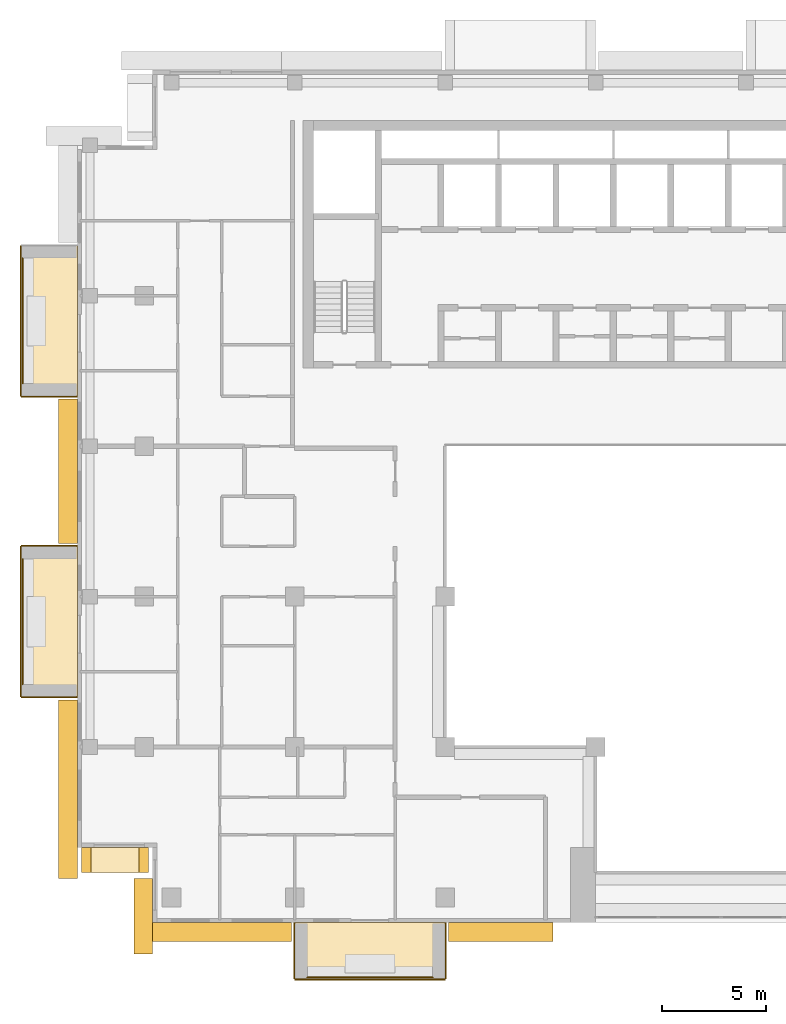
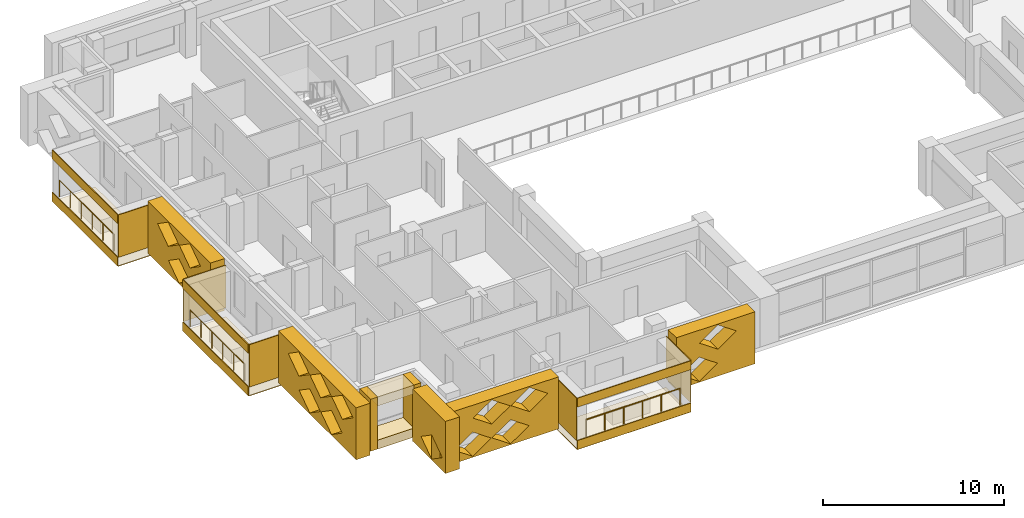
# One storey, part 13 of 19: 23 coverings, 3 railings.
"""IFC4 building model written with IfcOpenShell, lengths in metres."""

import ifcopenshell
import ifcopenshell.guid

model = None  # the IFC model being written
_history = None  # IfcOwnerHistory: only IFC2X3 demands one
_inside = {}  # id of a spatial element -> (the spatial element, [elements in it])
_under = {}  # id of a project, library or spatial element -> (it, [spatial elements below it])
_declared = {}  # id of a project -> (the project, [libraries it declares])
_typed = {}  # id of a type object -> (the type object, [elements of that type])
_made_of = {}  # id of a material, layer set ... -> (it, [elements and type objects made of it])


def new_model(schema):
    """Start an empty IFC model of exactly this schema.

    Asked for "IFC4X3", IfcOpenShell would pick the latest addendum, in which some entities
    have other attributes; the version numbers below select the first issue.
    IFC2X3 requires an IfcOwnerHistory on every rooted entity: one is made here for all.
    """
    global model, _history
    if schema == "IFC4X3":
        model = ifcopenshell.file(schema_version=(4, 3, 0, 0))
    else:
        model = ifcopenshell.file(schema=schema)
    _inside.clear()
    _under.clear()
    _declared.clear()
    _typed.clear()
    _made_of.clear()
    _history = None
    if model.schema == "IFC2X3":
        org = make("IfcOrganization", Name="unknown")
        user = make(
            "IfcPersonAndOrganization",
            ThePerson=make("IfcPerson", FamilyName="unknown"),
            TheOrganization=org,
        )
        app = make(
            "IfcApplication",
            ApplicationDeveloper=org,
            Version="unknown",
            ApplicationFullName="unknown",
            ApplicationIdentifier="unknown",
        )
        _history = make(
            "IfcOwnerHistory",
            OwningUser=user,
            OwningApplication=app,
            ChangeAction="ADDED",
            CreationDate=0,
        )
    return model


def make(cls, **values):
    """One entity of the class cls with the attributes given. An attribute that is None is left unset."""
    return model.create_entity(
        cls, **{name: value for name, value in values.items() if value is not None}
    )


def rooted(cls, **values):
    """An entity with a GlobalId (a new one), such as an element, a storey or a relation."""
    return make(cls, GlobalId=ifcopenshell.guid.new(), OwnerHistory=_history, **values)


def si_unit(unit_type, name, prefix=None):
    """IfcSIUnit, for example si_unit("LENGTHUNIT", "METRE", prefix="MILLI")."""
    return make("IfcSIUnit", UnitType=unit_type, Prefix=prefix, Name=name)


def assignment(units):
    """IfcUnitAssignment: the units of a project."""
    return None if units is None else make("IfcUnitAssignment", Units=units)


def point(xyz):
    """IfcCartesianPoint."""
    return None if xyz is None else make("IfcCartesianPoint", Coordinates=xyz)


def direction(xyz):
    """IfcDirection."""
    return None if xyz is None else make("IfcDirection", DirectionRatios=xyz)


def frame(location, z_axis=None, x_axis=None):
    """IfcAxis2Placement3D, a coordinate frame: its origin and axes. An axis left out is left unset."""
    return make(
        "IfcAxis2Placement3D",
        Location=point(location),
        Axis=direction(z_axis),
        RefDirection=direction(x_axis),
    )


def frame_2d(location, x_axis=None):
    """IfcAxis2Placement2D, a coordinate frame in the plane: its origin and x axis."""
    return make(
        "IfcAxis2Placement2D", Location=point(location), RefDirection=direction(x_axis)
    )


def origin():
    """The frame at (0, 0, 0) with its axes left unset."""
    return frame((0.0, 0.0, 0.0))


def origin_2d():
    """The frame at (0, 0) in the plane with its x axis left unset."""
    return frame_2d((0.0, 0.0))


def place(relative_to, where):
    """IfcLocalPlacement: puts the frame where relative to a parent placement (None: the world)."""
    return make(
        "IfcLocalPlacement", PlacementRelTo=relative_to, RelativePlacement=where
    )


def context(
    kind, dimensions, precision=None, world=None, true_north=None, identifier=None
):
    """IfcGeometricRepresentationContext, for example the 3D "Model" context."""
    return make(
        "IfcGeometricRepresentationContext",
        ContextIdentifier=identifier,
        ContextType=kind,
        CoordinateSpaceDimension=dimensions,
        Precision=precision,
        WorldCoordinateSystem=world,
        TrueNorth=true_north,
    )


def subcontext(parent, identifier, kind, view, scale=None):
    """IfcGeometricRepresentationSubContext, for example "Body" below "Model"."""
    return make(
        "IfcGeometricRepresentationSubContext",
        ContextIdentifier=identifier,
        ContextType=kind,
        ParentContext=parent,
        TargetScale=scale,
        TargetView=view,
    )


def project(units=None, contexts=None):
    """IfcProject with its units and contexts."""
    return rooted(
        "IfcProject",
        Name="project",
        RepresentationContexts=contexts,
        UnitsInContext=assignment(units),
    )


def spatial(cls, under=None, at=None, **own):
    """A site, building, storey or space (cls), placed at a placement, below another one or the project."""
    s = rooted(cls, ObjectPlacement=at, **own)
    if under is not None:
        _under.setdefault(under.id(), (under, []))[1].append(s)
    return s


def polyline(points):
    """IfcPolyline through the points."""
    return make("IfcPolyline", Points=[point(p) for p in points])


def profile(cls, at=None, kind="AREA", **sizes):
    """A parametric profile (cls). Its sizes go by their IFC names, for example OverallWidth=200.0."""
    return make(cls, ProfileType=kind, Position=at, **sizes)


def circle(**sizes):
    """IfcCircleProfileDef."""
    return profile("IfcCircleProfileDef", **sizes)


def outline(outer, holes=None, kind="AREA"):
    """IfcArbitraryClosedProfileDef: a profile drawn as a closed curve; with holes, ...WithVoids."""
    if holes is None:
        return make("IfcArbitraryClosedProfileDef", ProfileType=kind, OuterCurve=outer)
    return make(
        "IfcArbitraryProfileDefWithVoids",
        ProfileType=kind,
        OuterCurve=outer,
        InnerCurves=holes,
    )


def extrude(swept, where, along, depth):
    """IfcExtrudedAreaSolid: the profile swept, set in the frame where, extruded along a direction by depth."""
    return make(
        "IfcExtrudedAreaSolid",
        SweptArea=swept,
        Position=where,
        ExtrudedDirection=direction(along),
        Depth=depth,
    )


def shape(context_of_items, identifier, shape_type, items):
    """IfcShapeRepresentation: the items that make up one representation, for example the "Body"."""
    return make(
        "IfcShapeRepresentation",
        ContextOfItems=context_of_items,
        RepresentationIdentifier=identifier,
        RepresentationType=shape_type,
        Items=items,
    )


def material(Name=None, Category=None):
    """IfcMaterial."""
    return make("IfcMaterial", Name=Name, Category=Category)


def layer(
    of_material, thickness, ventilated=None, Name=None, Category=None, Priority=None
):
    """IfcMaterialLayer: one layer of a wall or slab, of a material (None: an air gap)."""
    return make(
        "IfcMaterialLayer",
        Material=of_material,
        LayerThickness=thickness,
        IsVentilated=ventilated,
        Name=Name,
        Category=Category,
        Priority=Priority,
    )


def layer_set(layers, Name=None):
    """IfcMaterialLayerSet."""
    return make("IfcMaterialLayerSet", MaterialLayers=layers, LayerSetName=Name)


def made_of(thing, what):
    """Note that an element or type object is made of a material, layer set ...; save() writes the relation."""
    if what is not None:
        _made_of.setdefault(what.id(), (what, []))[1].append(thing)
    return thing


def type_object(cls, material=None, **own):
    """A type object (cls), such as IfcWallType, which elements share."""
    return made_of(rooted(cls, **own), material)


def element(
    cls,
    number,
    at=None,
    inside=None,
    cuts=None,
    type_object=None,
    material=None,
    context=None,
    identifier="Body",
    shape_type=None,
    held_by="IfcProductDefinitionShape",
    body=None,
    shapes=None,
    **own,
):
    """One element of the class cls, such as IfcWall. Its Tag is "e" and its number.

    at: its placement. inside: the storey or other place that contains it. cuts: it is an
    opening in that element (IfcRelVoidsElement). A single representation is given by context,
    identifier, shape_type and body (its items); several are given by shapes. held_by: the class
    of the entity that holds the representations. save() writes the other relations.
    """
    e = rooted(cls, Tag="e%d" % number, ObjectPlacement=at, **own)
    if body is not None:
        shapes = [shape(context, identifier, shape_type, body)]
    if shapes is not None:
        e.Representation = make(held_by, Representations=shapes)
    if inside is not None:
        _inside.setdefault(inside.id(), (inside, []))[1].append(e)
    if cuts is not None:
        rooted(
            "IfcRelVoidsElement", RelatingBuildingElement=cuts, RelatedOpeningElement=e
        )
    if type_object is not None:
        _typed.setdefault(type_object.id(), (type_object, []))[1].append(e)
    return made_of(e, material)


def aggregate(whole, parts):
    """IfcRelAggregates: a whole, such as a stair, and the parts it consists of."""
    return rooted("IfcRelAggregates", RelatingObject=whole, RelatedObjects=parts)


def save(model, path):
    """Write the relations noted so far, then the file.

    IfcRelAggregates (storeys below a building ...), IfcRelContainedInSpatialStructure (elements
    in a storey), IfcRelDefinesByType, IfcRelAssociatesMaterial and IfcRelDeclares: one each for
    every whole, place, type object, material and project.
    """
    for whole, parts in _under.values():
        aggregate(whole, parts)
    for where, things in _inside.values():
        rooted(
            "IfcRelContainedInSpatialStructure",
            RelatedElements=things,
            RelatingStructure=where,
        )
    for kind, things in _typed.values():
        rooted("IfcRelDefinesByType", RelatedObjects=things, RelatingType=kind)
    for what, things in _made_of.values():
        rooted("IfcRelAssociatesMaterial", RelatedObjects=things, RelatingMaterial=what)
    for by, libraries in _declared.values():
        rooted("IfcRelDeclares", RelatingContext=by, RelatedDefinitions=libraries)
    model.write(path)


model = new_model("IFC4")

# Units and contexts
model_context = context("Model", 3, precision=1e-05, world=origin(), true_north=direction((0.0, 1.0)))
body_context = subcontext(model_context, "Body", "Model", "MODEL_VIEW")
ifc_project = project(units=[si_unit("LENGTHUNIT", "METRE"), si_unit("AREAUNIT", "SQUARE_METRE"), si_unit("VOLUMEUNIT", "CUBIC_METRE"), si_unit("PLANEANGLEUNIT", "RADIAN"), si_unit("MASSUNIT", "GRAM", prefix="KILO")], contexts=[model_context])

# Site, building, storey
site_placement = place(None, origin())
site = spatial("IfcSite", under=ifc_project, at=site_placement, CompositionType="ELEMENT")
building_placement = place(site_placement, origin())
building = spatial("IfcBuilding", under=site, at=building_placement, Name="Saffron Iwan Residences", CompositionType="ELEMENT")
storey_placement = place(building_placement, frame((0.0, 0.0, 222.0)))
storey = spatial("IfcBuildingStorey", under=building, at=storey_placement, Name="L59", CompositionType="ELEMENT", Elevation=222.0)

# Railings
ifc_material_1 = material(Name="Stainless steel 316", Category="steel")
railing_type = type_object("IfcRailingType", Name="BALCONY GUARD 1150", PredefinedType="GUARDRAIL", material=ifc_material_1)
for number, where, name in (
    (1, (15.77490234375, 71.39990234375, 0.0), "Balcony guard L59 F8-0"),
    (2, (15.77490234375, 57.0, 0.0), "Balcony guard L59 F8-1"),
):
    element("IfcRailing", number, at=place(storey_placement, frame(where)), inside=storey, type_object=railing_type, Name=name, PredefinedType="GUARDRAIL", context=body_context, shape_type="SweptSolid", body=[
        extrude(circle(Radius=0.02392578125, at=origin_2d()), frame((0.0, 0.0, 1.1259765625), z_axis=(0.0, -1.0, 0.0), x_axis=(1.0, 0.0, 0.0)), (0.0, 0.0, 1.0), 6.0),
        extrude(circle(Radius=0.02099609375, at=origin_2d()), origin(), (0.0, 0.0, 1.0), 1.101806640625),
        extrude(circle(Radius=0.02099609375, at=origin_2d()), frame((0.0, -1.199951171875, 0.0)), (0.0, 0.0, 1.0), 1.101806640625),
        extrude(circle(Radius=0.02099609375, at=origin_2d()), frame((0.0, -2.39990234375, 0.0)), (0.0, 0.0, 1.0), 1.101806640625),
        extrude(circle(Radius=0.02099609375, at=origin_2d()), frame((0.0, -3.60009765625, 0.0)), (0.0, 0.0, 1.0), 1.101806640625),
        extrude(circle(Radius=0.02099609375, at=origin_2d()), frame((0.0, -4.800048828125, 0.0)), (0.0, 0.0, 1.0), 1.101806640625),
        extrude(circle(Radius=0.02099609375, at=origin_2d()), frame((0.0, -6.0, 0.0)), (0.0, 0.0, 1.0), 1.101806640625),
    ])
railing_placement = place(storey_placement, frame((29.39990234375, 36.97509765625, 0.0)))
element("IfcRailing", 3, at=railing_placement, inside=storey, type_object=railing_type, Name="Balcony guard L59 11-0", PredefinedType="GUARDRAIL", context=body_context, shape_type="SweptSolid", body=[
    extrude(circle(Radius=0.02392578125, at=origin_2d()), frame((0.0, 0.0, 1.1259765625), z_axis=(1.0, 0.0, 0.0), x_axis=(0.0, 1.0, 0.0)), (0.0, 0.0, 1.0), 6.0),
    extrude(circle(Radius=0.02099609375, at=origin_2d()), origin(), (0.0, 0.0, 1.0), 1.101806640625),
    extrude(circle(Radius=0.02099609375, at=origin_2d()), frame((1.199951171875, 0.0, 0.0)), (0.0, 0.0, 1.0), 1.101806640625),
    extrude(circle(Radius=0.02099609375, at=origin_2d()), frame((2.39990234375, 0.0, 0.0)), (0.0, 0.0, 1.0), 1.101806640625),
    extrude(circle(Radius=0.02099609375, at=origin_2d()), frame((3.60009765625, 0.0, 0.0)), (0.0, 0.0, 1.0), 1.101806640625),
    extrude(circle(Radius=0.02099609375, at=origin_2d()), frame((4.800048828125, 0.0, 0.0)), (0.0, 0.0, 1.0), 1.101806640625),
    extrude(circle(Radius=0.02099609375, at=origin_2d()), frame((6.0, 0.0, 0.0)), (0.0, 0.0, 1.0), 1.101806640625),
])

# Coverings
ifc_material_2 = material(Name="Precast concrete C40/50 white painted", Category="concrete")
ifc_layer = layer(ifc_material_2, 0.050048828125)
ifc_layer_set = layer_set([ifc_layer], Name="Precast concrete C40/50 white painted")
covering_type_1 = type_object("IfcCoveringType", Name="FRAME SKIN PRECAST WHITE 50", PredefinedType="CLADDING", material=ifc_layer_set)
for number, where, name in (
    (4, (0.0, 0.0, -0.60009765625), "Frame skin slab edge L59 F8-0"),
    (5, (0.0, 0.0, 2.25), "Frame skin fascia L59 F8-0"),
):
    element("IfcCovering", number, at=place(storey_placement, frame(where)), inside=storey, type_object=covering_type_1, Name=name, PredefinedType="CLADDING", context=body_context, shape_type="SweptSolid", body=[
        extrude(outline(polyline([(15.64990234375, 72.0), (15.64990234375, 64.800048828125), (15.699951171875, 64.800048828125), (15.699951171875, 72.0), (15.64990234375, 72.0)])), origin(), (0.0, 0.0, 1.0), 0.60009765625),
    ])
covering_1_placement = place(storey_placement, frame((0.0, 0.0, -0.64990234375)))
element("IfcCovering", 6, at=covering_1_placement, inside=storey, type_object=covering_type_1, Name="Frame skin soffit L59 F8-0", PredefinedType="CLADDING", context=body_context, shape_type="SweptSolid", body=[
    extrude(outline(polyline([(15.699951171875, 72.0), (15.699951171875, 64.800048828125), (18.39990234375, 64.800048828125), (18.39990234375, 72.0), (15.699951171875, 72.0)])), origin(), (0.0, 0.0, 1.0), 0.0498046875),
])
covering_2_placement = place(storey_placement, origin())
element("IfcCovering", 7, at=covering_2_placement, inside=storey, type_object=covering_type_1, Name="Frame skin fin L59 F8-0b", PredefinedType="CLADDING", context=body_context, shape_type="SweptSolid", body=[
    extrude(outline(polyline([(15.699951171875, 64.800048828125), (15.699951171875, 64.75), (18.39990234375, 64.75), (18.39990234375, 64.800048828125), (15.699951171875, 64.800048828125)])), origin(), (0.0, 0.0, 1.0), 2.85009765625),
])
for number, where, name in (
    (8, (0.0, 0.0, -0.60009765625), "Frame skin slab edge L59 F8-1"),
    (9, (0.0, 0.0, 2.25), "Frame skin fascia L59 F8-1"),
):
    element("IfcCovering", number, at=place(storey_placement, frame(where)), inside=storey, type_object=covering_type_1, Name=name, PredefinedType="CLADDING", context=body_context, shape_type="SweptSolid", body=[
        extrude(outline(polyline([(15.64990234375, 57.60009765625), (15.64990234375, 50.39990234375), (15.699951171875, 50.39990234375), (15.699951171875, 57.60009765625), (15.64990234375, 57.60009765625)])), origin(), (0.0, 0.0, 1.0), 0.60009765625),
    ])
covering_3_placement = place(storey_placement, frame((0.0, 0.0, -0.64990234375)))
element("IfcCovering", 10, at=covering_3_placement, inside=storey, type_object=covering_type_1, Name="Frame skin soffit L59 F8-1", PredefinedType="CLADDING", context=body_context, shape_type="SweptSolid", body=[
    extrude(outline(polyline([(15.699951171875, 57.60009765625), (15.699951171875, 50.39990234375), (18.39990234375, 50.39990234375), (18.39990234375, 57.60009765625), (15.699951171875, 57.60009765625)])), origin(), (0.0, 0.0, 1.0), 0.0498046875),
])
covering_4_placement = place(storey_placement, origin())
element("IfcCovering", 11, at=covering_4_placement, inside=storey, type_object=covering_type_1, Name="Frame skin fin L59 F8-1a", PredefinedType="CLADDING", context=body_context, shape_type="SweptSolid", body=[
    extrude(outline(polyline([(15.699951171875, 57.64990234375), (15.699951171875, 57.60009765625), (18.39990234375, 57.60009765625), (18.39990234375, 57.64990234375), (15.699951171875, 57.64990234375)])), origin(), (0.0, 0.0, 1.0), 2.85009765625),
])
covering_5_placement = place(storey_placement, origin())
element("IfcCovering", 12, at=covering_5_placement, inside=storey, type_object=covering_type_1, Name="Frame skin fin L59 F8-1b", PredefinedType="CLADDING", context=body_context, shape_type="SweptSolid", body=[
    extrude(outline(polyline([(15.699951171875, 50.39990234375), (15.699951171875, 50.35009765625), (18.39990234375, 50.35009765625), (18.39990234375, 50.39990234375), (15.699951171875, 50.39990234375)])), origin(), (0.0, 0.0, 1.0), 2.85009765625),
])
for number, where, name in (
    (13, (0.0, 0.0, -0.60009765625), "Frame skin slab edge L59 11-0"),
    (14, (0.0, 0.0, 2.25), "Frame skin fascia L59 11-0"),
):
    element("IfcCovering", number, at=place(storey_placement, frame(where)), inside=storey, type_object=covering_type_1, Name=name, PredefinedType="CLADDING", context=body_context, shape_type="SweptSolid", body=[
        extrude(outline(polyline([(28.800048828125, 36.85009765625), (36.0, 36.85009765625), (36.0, 36.89990234375), (28.800048828125, 36.89990234375), (28.800048828125, 36.85009765625)])), origin(), (0.0, 0.0, 1.0), 0.60009765625),
    ])
covering_6_placement = place(storey_placement, frame((0.0, 0.0, -0.64990234375)))
element("IfcCovering", 15, at=covering_6_placement, inside=storey, type_object=covering_type_1, Name="Frame skin soffit L59 11-0", PredefinedType="CLADDING", context=body_context, shape_type="SweptSolid", body=[
    extrude(outline(polyline([(28.800048828125, 36.89990234375), (36.0, 36.89990234375), (36.0, 39.60009765625), (28.800048828125, 39.60009765625), (28.800048828125, 36.89990234375)])), origin(), (0.0, 0.0, 1.0), 0.0498046875),
])
covering_7_placement = place(storey_placement, origin())
element("IfcCovering", 16, at=covering_7_placement, inside=storey, type_object=covering_type_1, Name="Frame skin fin L59 11-0a", PredefinedType="CLADDING", context=body_context, shape_type="SweptSolid", body=[
    extrude(outline(polyline([(28.75, 36.89990234375), (28.800048828125, 36.89990234375), (28.800048828125, 39.60009765625), (28.75, 39.60009765625), (28.75, 36.89990234375)])), origin(), (0.0, 0.0, 1.0), 2.85009765625),
])
covering_8_placement = place(storey_placement, origin())
element("IfcCovering", 17, at=covering_8_placement, inside=storey, type_object=covering_type_1, Name="Frame skin fin L59 11-0b", PredefinedType="CLADDING", context=body_context, shape_type="SweptSolid", body=[
    extrude(outline(polyline([(36.0, 36.89990234375), (36.050048828125, 36.89990234375), (36.050048828125, 39.60009765625), (36.0, 39.60009765625), (36.0, 36.89990234375)])), origin(), (0.0, 0.0, 1.0), 2.85009765625),
])
ifc_material_3 = material(Name="Precast concrete C40/50", Category="concrete")
covering_type_2 = type_object("IfcCoveringType", Name="OUTER SKIN LATTICE SCREEN", PredefinedType="CLADDING", material=ifc_material_3)
covering_9_placement = place(storey_placement, frame((18.39990234375, 64.64990234375, -0.280029296875), z_axis=(-1.0, 0.0, 0.0), x_axis=(0.0, -1.0, 0.0)))
element("IfcCovering", 18, at=covering_9_placement, inside=storey, type_object=covering_type_2, Name="OUTER SKIN lattice screen L59 F8.1", PredefinedType="CLADDING", context=body_context, shape_type="SweptSolid", body=[
    extrude(outline(polyline([(0.0, 0.0), (6.89990234375, 0.0), (6.89990234375, 3.5), (0.0, 3.5), (0.0, 0.0)]), holes=[polyline([(2.27001953125, 0.875), (3.449951171875, 0.06005859375), (4.6298828125, 0.875), (3.449951171875, 1.68994140625), (2.27001953125, 0.875)]), polyline([(1.070068359375, 2.625), (2.25, 1.81005859375), (3.429931640625, 2.625), (2.25, 3.43994140625), (1.070068359375, 2.625)]), polyline([(3.469970703125, 2.625), (4.64990234375, 1.81005859375), (5.830078125, 2.625), (4.64990234375, 3.43994140625), (3.469970703125, 2.625)])]), origin(), (0.0, 0.0, 1.0), 0.89990234375),
])
covering_10_placement = place(storey_placement, frame((18.39990234375, 50.25, -0.280029296875), z_axis=(-1.0, 0.0, 0.0), x_axis=(0.0, -1.0, 0.0)))
element("IfcCovering", 19, at=covering_10_placement, inside=storey, type_object=covering_type_2, Name="OUTER SKIN lattice screen L59 F8.2", PredefinedType="CLADDING", context=body_context, shape_type="SweptSolid", body=[
    extrude(outline(polyline([(0.0, 0.0), (8.550048828125, 0.0), (8.550048828125, 3.5), (0.0, 3.5), (0.0, 0.0)]), holes=[polyline([(2.27001953125, 0.875), (3.449951171875, 0.06005859375), (4.6298828125, 0.875), (3.449951171875, 1.68994140625), (2.27001953125, 0.875)]), polyline([(4.669921875, 0.875), (5.85009765625, 0.06005859375), (7.030029296875, 0.875), (5.85009765625, 1.68994140625), (4.669921875, 0.875)]), polyline([(1.070068359375, 2.625), (2.25, 1.81005859375), (3.429931640625, 2.625), (2.25, 3.43994140625), (1.070068359375, 2.625)]), polyline([(3.469970703125, 2.625), (4.64990234375, 1.81005859375), (5.830078125, 2.625), (4.64990234375, 3.43994140625), (3.469970703125, 2.625)]), polyline([(5.8701171875, 2.625), (7.050048828125, 1.81005859375), (8.22998046875, 2.625), (7.050048828125, 3.43994140625), (5.8701171875, 2.625)])]), origin(), (0.0, 0.0, 1.0), 0.89990234375),
])
covering_11_placement = place(storey_placement, frame((22.0, 41.699951171875, -0.280029296875), z_axis=(-1.0, 0.0, 0.0), x_axis=(0.0, -1.0, 0.0)))
element("IfcCovering", 20, at=covering_11_placement, inside=storey, type_object=covering_type_2, Name="OUTER SKIN lattice screen L59 F10.0", PredefinedType="CLADDING", context=body_context, shape_type="SweptSolid", body=[
    extrude(outline(polyline([(0.0, 0.0), (3.60009765625, 0.0), (3.60009765625, 3.5), (0.0, 3.5), (0.0, 0.0)]), holes=[polyline([(0.919921875, 0.875), (2.10009765625, 0.06005859375), (3.280029296875, 0.875), (2.10009765625, 1.68994140625), (0.919921875, 0.875)])]), origin(), (0.0, 0.0, 1.0), 0.89990234375),
])
covering_12_placement = place(storey_placement, frame((21.10009765625, 39.60009765625, -0.280029296875), z_axis=(0.0, -1.0, 0.0), x_axis=(1.0, 0.0, 0.0)))
element("IfcCovering", 21, at=covering_12_placement, inside=storey, type_object=covering_type_2, Name="OUTER SKIN lattice screen L59 F11.0", PredefinedType="CLADDING", context=body_context, shape_type="SweptSolid", body=[
    extrude(outline(polyline([(0.0, 0.0), (7.550048828125, 0.0), (7.550048828125, 3.5), (0.0, 3.5), (0.0, 0.0)]), holes=[polyline([(0.919921875, 0.875), (2.10009765625, 0.06005859375), (3.280029296875, 0.875), (2.10009765625, 1.68994140625), (0.919921875, 0.875)]), polyline([(3.320068359375, 0.875), (4.5, 0.06005859375), (5.679931640625, 0.875), (4.5, 1.68994140625), (3.320068359375, 0.875)]), polyline([(2.1201171875, 2.625), (3.300048828125, 1.81005859375), (4.47998046875, 2.625), (3.300048828125, 3.43994140625), (2.1201171875, 2.625)]), polyline([(4.52001953125, 2.625), (5.699951171875, 1.81005859375), (6.8798828125, 2.625), (5.699951171875, 3.43994140625), (4.52001953125, 2.625)])]), origin(), (0.0, 0.0, 1.0), 0.900146484375),
])
covering_13_placement = place(storey_placement, frame((36.14990234375, 39.60009765625, -0.280029296875), z_axis=(0.0, -1.0, 0.0), x_axis=(1.0, 0.0, 0.0)))
element("IfcCovering", 22, at=covering_13_placement, inside=storey, type_object=covering_type_2, Name="OUTER SKIN lattice screen L59 F11.1", PredefinedType="CLADDING", context=body_context, shape_type="SweptSolid", body=[
    extrude(outline(polyline([(0.0, 0.0), (5.0, 0.0), (5.0, 3.5), (0.0, 3.5), (0.0, 0.0)]), holes=[polyline([(0.27001953125, 0.875), (1.449951171875, 0.06005859375), (2.6298828125, 0.875), (1.449951171875, 1.68994140625), (0.27001953125, 0.875)]), polyline([(1.469970703125, 2.625), (2.64990234375, 1.81005859375), (3.830078125, 2.625), (2.64990234375, 3.43994140625), (1.469970703125, 2.625)])]), origin(), (0.0, 0.0, 1.0), 0.900146484375),
])
covering_type_3 = type_object("IfcCoveringType", Name="WHITE SUN FRAME PRECAST", PredefinedType="CLADDING", material=ifc_material_2)
for number, where, z_axis, x_axis, name in (
    (23, (18.60009765625, 43.199951171875, -0.280029296875), (0.0, -1.0, 0.0), (1.0, 0.0, 0.0), "Sun frame L59 F9 0.2a"),
    (24, (21.35009765625, 43.199951171875, -0.280029296875), (0.0, -1.0, 0.0), (1.0, 0.0, 0.0), "Sun frame L59 F9 0.2b"),
):
    element("IfcCovering", number, at=place(storey_placement, frame(where, z_axis=z_axis, x_axis=x_axis)), inside=storey, type_object=covering_type_3, Name=name, PredefinedType="CLADDING", context=body_context, shape_type="SweptSolid", body=[
        extrude(outline(polyline([(0.0, 0.0), (0.449951171875, 0.0), (0.449951171875, 3.5), (0.0, 3.5), (0.0, 0.0)])), origin(), (0.0, 0.0, 1.0), 1.199951171875),
    ])
for number, where, z_axis, x_axis, name in (
    (25, (19.050048828125, 43.199951171875, 2.6201171875), (0.0, -1.0, 0.0), (1.0, 0.0, 0.0), "Sun frame L59 F9 0.2h"),
    (26, (19.050048828125, 43.199951171875, -0.280029296875), (0.0, -1.0, 0.0), (1.0, 0.0, 0.0), "Sun frame L59 F9 0.2s"),
):
    element("IfcCovering", number, at=place(storey_placement, frame(where, z_axis=z_axis, x_axis=x_axis)), inside=storey, type_object=covering_type_3, Name=name, PredefinedType="CLADDING", context=body_context, shape_type="SweptSolid", body=[
        extrude(outline(polyline([(0.0, 0.0), (2.300048828125, 0.0), (2.300048828125, 0.60009765625), (0.0, 0.60009765625), (0.0, 0.0)])), origin(), (0.0, 0.0, 1.0), 1.199951171875),
    ])

save(model, "model.ifc")
